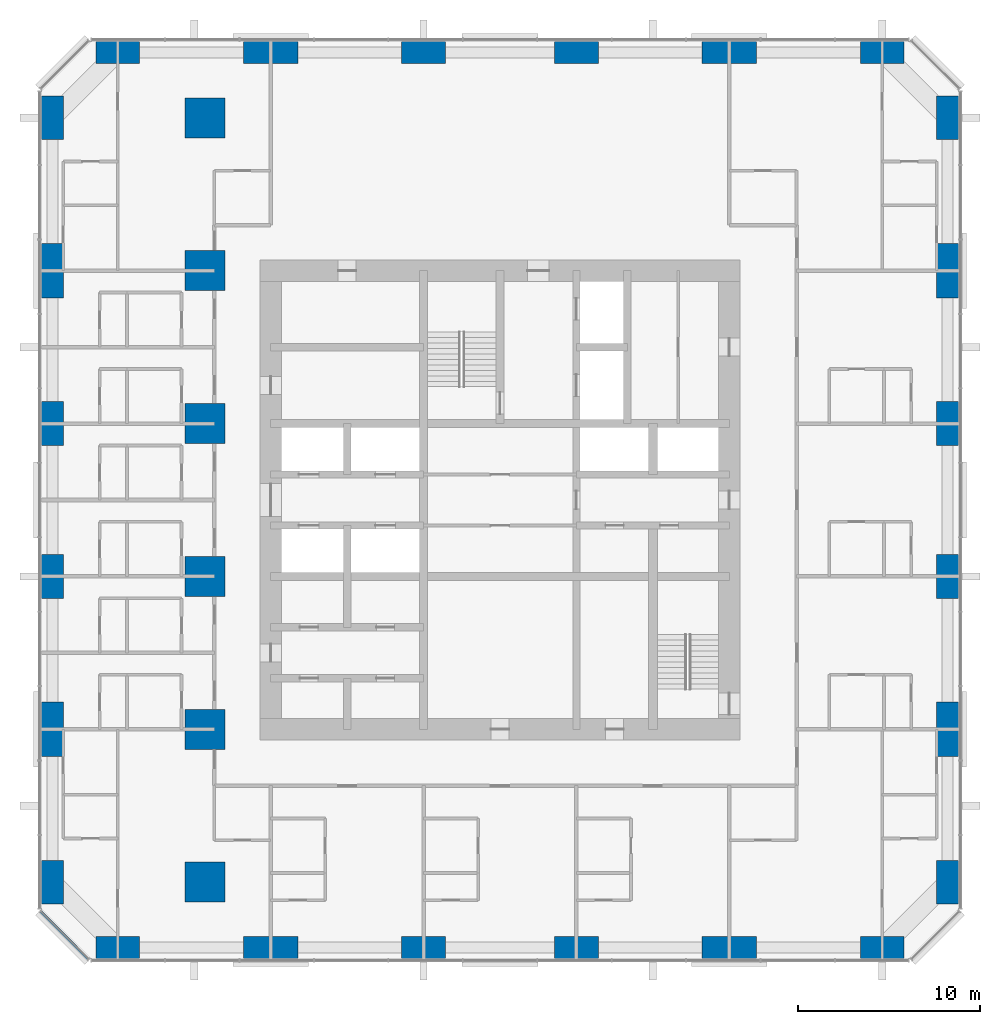
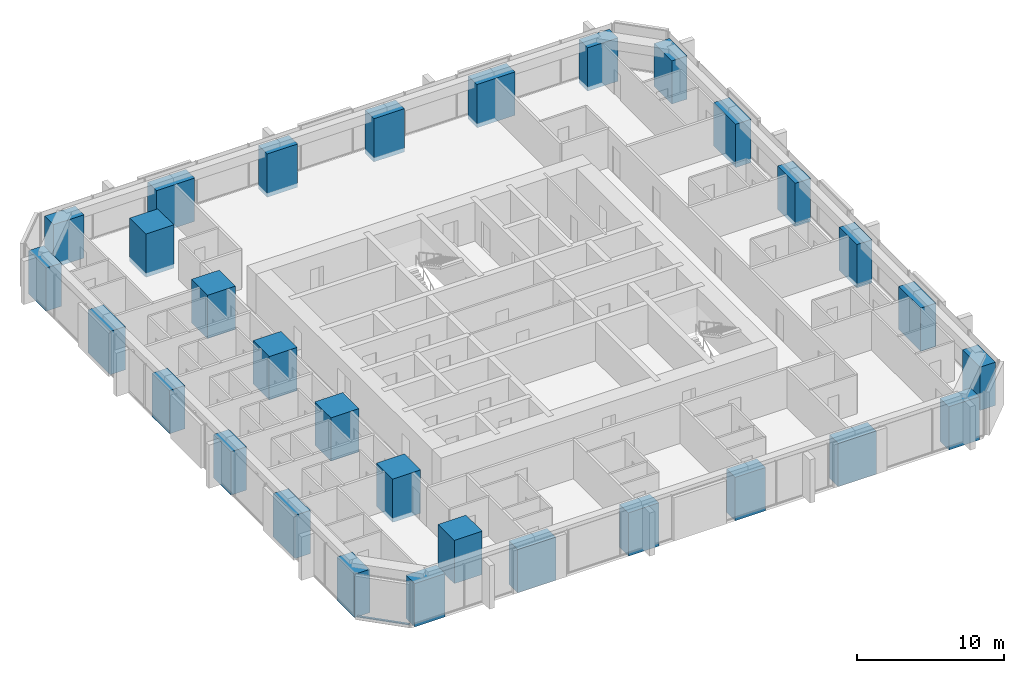
# One storey, part 1 of 13: 30 columns, 1 member, 1 element without a shape of its own.
"""IFC4 building model written with IfcOpenShell, lengths in metres."""

from ifc_helpers import new_model, si_unit, direction, frame, origin, origin_2d, place, context, subcontext, project, spatial, rectangle, extrude, material, material_profile, profile_set, type_object, element, aggregate, save


model = new_model("IFC4")

# Units and contexts
model_context = context("Model", 3, precision=1e-05, world=origin(), true_north=direction((0.0, 1.0)))
body_context = subcontext(model_context, "Body", "Model", "MODEL_VIEW")
ifc_project = project(units=[si_unit("LENGTHUNIT", "METRE"), si_unit("AREAUNIT", "SQUARE_METRE"), si_unit("VOLUMEUNIT", "CUBIC_METRE"), si_unit("PLANEANGLEUNIT", "RADIAN"), si_unit("MASSUNIT", "GRAM", prefix="KILO")], contexts=[model_context])

# Site, building, storey
site_placement = place(None, origin())
site = spatial("IfcSite", under=ifc_project, at=site_placement, CompositionType="ELEMENT")
building_placement = place(site_placement, origin())
building = spatial("IfcBuilding", under=site, at=building_placement, Name="Dunama Terrace Hotel", CompositionType="ELEMENT")
storey_placement = place(building_placement, frame((0.0, 0.0, 162.60009765625)))
storey = spatial("IfcBuildingStorey", under=building, at=storey_placement, Name="L41", CompositionType="ELEMENT", Elevation=162.60009765625)

# Columns
ifc_material_1 = material(Name="Concrete C60/75", Category="concrete")
ifc_material_profile_1 = material_profile(ifc_material_1, rectangle(XDim=1.199951171875, YDim=2.39990234375, at=origin_2d()), Name="RC 1200x2400")
ifc_profile_set_1 = profile_set([ifc_material_profile_1], Name="Concrete C60/75")
column_type_1 = type_object("IfcColumnType", Name="Column RC 1200x2400", PredefinedType="COLUMN", material=ifc_profile_set_1)
for number, where, z_axis, x_axis, name in (
    (1, (4.800048828125, 8.39990234375, -0.35009765625), (0.0, 0.0, 1.0), (1.0, 0.0, 0.0), "Column L41 +4.8/+8.4"),
    (2, (4.800048828125, 25.199951171875, -0.35009765625), (0.0, 0.0, 1.0), (1.0, 0.0, 0.0), "Column L41 +4.8/+25.2"),
    (3, (4.800048828125, 33.60009765625, -0.35009765625), (0.0, 0.0, 1.0), (1.0, 0.0, 0.0), "Column L41 +4.8/+33.6"),
    (4, (4.800048828125, 50.39990234375, -0.35009765625), (0.0, 0.0, 1.0), (1.0, 0.0, 0.0), "Column L41 +4.8/+50.4"),
    (5, (54.0, 8.39990234375, -0.35009765625), (0.0, 0.0, 1.0), (1.0, 0.0, 0.0), "Column L41 +54.0/+8.4"),
    (6, (54.0, 25.199951171875, -0.35009765625), (0.0, 0.0, 1.0), (1.0, 0.0, 0.0), "Column L41 +54.0/+25.2"),
    (7, (54.0, 33.60009765625, -0.35009765625), (0.0, 0.0, 1.0), (1.0, 0.0, 0.0), "Column L41 +54.0/+33.6"),
    (8, (54.0, 50.39990234375, -0.35009765625), (0.0, 0.0, 1.0), (1.0, 0.0, 0.0), "Column L41 +54.0/+50.4"),
):
    element("IfcColumn", number, at=place(storey_placement, frame(where, z_axis=z_axis, x_axis=x_axis)), inside=storey, type_object=column_type_1, Name=name, PredefinedType="COLUMN", context=body_context, shape_type="SweptSolid", body=[
        extrude(rectangle(XDim=1.199951171875, YDim=2.39990234375, at=origin_2d()), origin(), (0.0, 0.0, 1.0), 3.60009765625),
    ])
ifc_material_2 = material(Name="Concrete C60/75", Category="concrete")
ifc_material_profile_2 = material_profile(ifc_material_2, rectangle(XDim=1.199951171875, YDim=3.0, at=origin_2d()), Name="RC 1200x3000")
ifc_profile_set_2 = profile_set([ifc_material_profile_2], Name="Concrete C60/75")
column_type_2 = type_object("IfcColumnType", Name="Column RC 1200x3000", PredefinedType="COLUMN", material=ifc_profile_set_2)
for number, where, z_axis, x_axis, name in (
    (9, (4.800048828125, 16.800048828125, -0.35009765625), (0.0, 0.0, 1.0), (1.0, 0.0, 0.0), "Column L41 +4.8/+16.8"),
    (10, (4.800048828125, 42.0, -0.35009765625), (0.0, 0.0, 1.0), (1.0, 0.0, 0.0), "Column L41 +4.8/+42.0"),
    (11, (54.0, 16.800048828125, -0.35009765625), (0.0, 0.0, 1.0), (1.0, 0.0, 0.0), "Column L41 +54.0/+16.8"),
    (12, (54.0, 42.0, -0.35009765625), (0.0, 0.0, 1.0), (1.0, 0.0, 0.0), "Column L41 +54.0/+42.0"),
):
    element("IfcColumn", number, at=place(storey_placement, frame(where, z_axis=z_axis, x_axis=x_axis)), inside=storey, type_object=column_type_2, Name=name, PredefinedType="COLUMN", context=body_context, shape_type="SweptSolid", body=[
        extrude(rectangle(XDim=1.199951171875, YDim=3.0, at=origin_2d()), origin(), (0.0, 0.0, 1.0), 3.60009765625),
    ])
ifc_material_3 = material(Name="Concrete C60/75", Category="concrete")
ifc_material_profile_3 = material_profile(ifc_material_3, rectangle(XDim=2.199951171875, YDim=2.199951171875, at=origin_2d()), Name="RC 2200x2200")
ifc_profile_set_3 = profile_set([ifc_material_profile_3], Name="Concrete C60/75")
column_type_3 = type_object("IfcColumnType", Name="Column RC 2200x2200", PredefinedType="COLUMN", material=ifc_profile_set_3)
for number, where, z_axis, x_axis, name in (
    (13, (13.199951171875, 8.39990234375, -0.35009765625), (0.0, 0.0, 1.0), (1.0, 0.0, 0.0), "Column L41 +13.2/+8.4"),
    (14, (13.199951171875, 16.800048828125, -0.35009765625), (0.0, 0.0, 1.0), (1.0, 0.0, 0.0), "Column L41 +13.2/+16.8"),
    (15, (13.199951171875, 25.199951171875, -0.35009765625), (0.0, 0.0, 1.0), (1.0, 0.0, 0.0), "Column L41 +13.2/+25.2"),
    (16, (13.199951171875, 33.60009765625, -0.35009765625), (0.0, 0.0, 1.0), (1.0, 0.0, 0.0), "Column L41 +13.2/+33.6"),
    (17, (13.199951171875, 42.0, -0.35009765625), (0.0, 0.0, 1.0), (1.0, 0.0, 0.0), "Column L41 +13.2/+42.0"),
    (18, (13.199951171875, 50.39990234375, -0.35009765625), (0.0, 0.0, 1.0), (1.0, 0.0, 0.0), "Column L41 +13.2/+50.4"),
):
    element("IfcColumn", number, at=place(storey_placement, frame(where, z_axis=z_axis, x_axis=x_axis)), inside=storey, type_object=column_type_3, Name=name, PredefinedType="COLUMN", context=body_context, shape_type="SweptSolid", body=[
        extrude(rectangle(XDim=2.199951171875, YDim=2.199951171875, at=origin_2d()), origin(), (0.0, 0.0, 1.0), 3.60009765625),
    ])
ifc_material_4 = material(Name="Concrete C60/75", Category="concrete")
ifc_material_profile_4 = material_profile(ifc_material_4, rectangle(XDim=2.39990234375, YDim=1.199951171875, at=origin_2d()), Name="RC 2400x1200")
ifc_profile_set_4 = profile_set([ifc_material_profile_4], Name="Concrete C60/75")
column_type_4 = type_object("IfcColumnType", Name="Column RC 2400x1200", PredefinedType="COLUMN", material=ifc_profile_set_4)
for number, where, z_axis, x_axis, name in (
    (19, (8.39990234375, 4.800048828125, -0.35009765625), (0.0, 0.0, 1.0), (1.0, 0.0, 0.0), "Column L41 +8.4/+4.8"),
    (20, (8.39990234375, 54.0, -0.35009765625), (0.0, 0.0, 1.0), (1.0, 0.0, 0.0), "Column L41 +8.4/+54.0"),
    (21, (25.199951171875, 4.800048828125, -0.35009765625), (0.0, 0.0, 1.0), (1.0, 0.0, 0.0), "Column L41 +25.2/+4.8"),
    (22, (25.199951171875, 54.0, -0.35009765625), (0.0, 0.0, 1.0), (1.0, 0.0, 0.0), "Column L41 +25.2/+54.0"),
    (23, (33.60009765625, 4.800048828125, -0.35009765625), (0.0, 0.0, 1.0), (1.0, 0.0, 0.0), "Column L41 +33.6/+4.8"),
    (24, (33.60009765625, 54.0, -0.35009765625), (0.0, 0.0, 1.0), (1.0, 0.0, 0.0), "Column L41 +33.6/+54.0"),
    (25, (50.39990234375, 4.800048828125, -0.35009765625), (0.0, 0.0, 1.0), (1.0, 0.0, 0.0), "Column L41 +50.4/+4.8"),
    (26, (50.39990234375, 54.0, -0.35009765625), (0.0, 0.0, 1.0), (1.0, 0.0, 0.0), "Column L41 +50.4/+54.0"),
):
    element("IfcColumn", number, at=place(storey_placement, frame(where, z_axis=z_axis, x_axis=x_axis)), inside=storey, type_object=column_type_4, Name=name, PredefinedType="COLUMN", context=body_context, shape_type="SweptSolid", body=[
        extrude(rectangle(XDim=2.39990234375, YDim=1.199951171875, at=origin_2d()), origin(), (0.0, 0.0, 1.0), 3.60009765625),
    ])
ifc_material_5 = material(Name="Concrete C60/75", Category="concrete")
ifc_material_profile_5 = material_profile(ifc_material_5, rectangle(XDim=3.0, YDim=1.199951171875, at=origin_2d()), Name="RC 3000x1200")
ifc_profile_set_5 = profile_set([ifc_material_profile_5], Name="Concrete C60/75")
column_type_5 = type_object("IfcColumnType", Name="Column RC 3000x1200", PredefinedType="COLUMN", material=ifc_profile_set_5)
for number, where, z_axis, x_axis, name in (
    (27, (16.800048828125, 4.800048828125, -0.35009765625), (0.0, 0.0, 1.0), (1.0, 0.0, 0.0), "Column L41 +16.8/+4.8"),
    (28, (16.800048828125, 54.0, -0.35009765625), (0.0, 0.0, 1.0), (1.0, 0.0, 0.0), "Column L41 +16.8/+54.0"),
    (29, (42.0, 4.800048828125, -0.35009765625), (0.0, 0.0, 1.0), (1.0, 0.0, 0.0), "Column L41 +42.0/+4.8"),
    (30, (42.0, 54.0, -0.35009765625), (0.0, 0.0, 1.0), (1.0, 0.0, 0.0), "Column L41 +42.0/+54.0"),
):
    element("IfcColumn", number, at=place(storey_placement, frame(where, z_axis=z_axis, x_axis=x_axis)), inside=storey, type_object=column_type_5, Name=name, PredefinedType="COLUMN", context=body_context, shape_type="SweptSolid", body=[
        extrude(rectangle(XDim=3.0, YDim=1.199951171875, at=origin_2d()), origin(), (0.0, 0.0, 1.0), 3.60009765625),
    ])

# Curtain wall, member
ifc_material_6 = material(Name="Aluminium curtain wall system", Category="aluminium")
curtain_wall_type = type_object("IfcCurtainWallType", Name="Unitised fritted glass wall CW-C", PredefinedType="NOTDEFINED", material=ifc_material_6)
curtain_wall_placement = place(storey_placement, origin())
curtain_wall = element("IfcCurtainWall", 31, at=curtain_wall_placement, inside=storey, type_object=curtain_wall_type, Name="Unitised fritted glass wall CW-C L41", PredefinedType="NOTDEFINED")
ifc_material_7 = material(Name="Aluminium transom", Category="aluminium")
ifc_material_profile_6 = material_profile(ifc_material_7, rectangle(XDim=0.159912109375, YDim=0.080078125, at=origin_2d()), Name="CWC TRANSOM 160X80")
ifc_profile_set_6 = profile_set([ifc_material_profile_6], Name="Aluminium transom")
member_type = type_object("IfcMemberType", Name="CWC transom 160x80", PredefinedType="USERDEFINED", material=ifc_profile_set_6)
member_placement = place(storey_placement, frame((4.178955078125, 6.780029296875, 0.039794921875), z_axis=(0.707106781187, -0.707106781187, 0.0), x_axis=(0.707106781187, 0.707106781187, 0.0)))
member = element("IfcMember", 32, at=member_placement, type_object=member_type, Name="CWC transom", ObjectType="TRANSOM", PredefinedType="USERDEFINED", context=body_context, shape_type="SweptSolid", body=[
    extrude(rectangle(XDim=0.159912109375, YDim=0.080078125, at=origin_2d()), origin(), (0.0, 0.0, 1.0), 3.678466796875),
])
aggregate(curtain_wall, [member])

save(model, "model.ifc")
